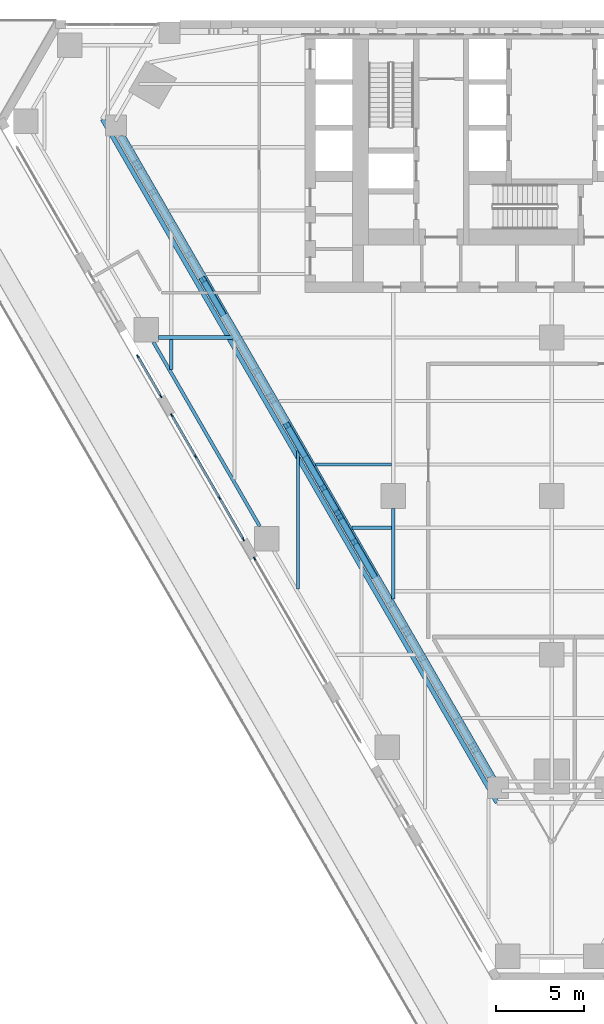
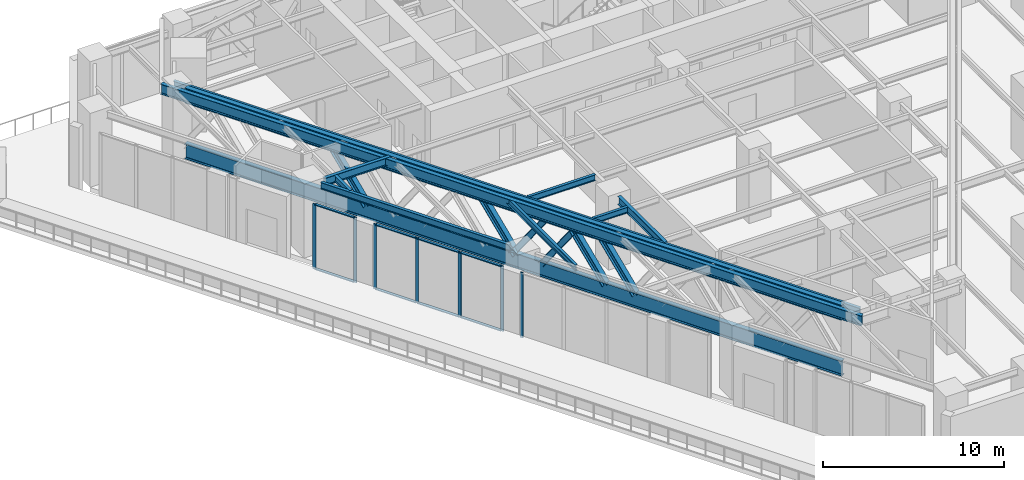
# One storey, part 4 of 25: 21 members, 11 beams, 3 elements without a shape of their own.
"""IFC4 building model written with IfcOpenShell, lengths in metres."""

from ifc_helpers import new_model, si_unit, direction, frame, origin, origin_2d, place, context, subcontext, project, spatial, rectangle, i_section, extrude, material, material_profile, profile_set, type_object, element, aggregate, save


model = new_model("IFC4")

# Units and contexts
model_context = context("Model", 3, precision=1e-05, world=origin(), true_north=direction((0.0, 1.0)))
body_context = subcontext(model_context, "Body", "Model", "MODEL_VIEW")
ifc_project = project(units=[si_unit("LENGTHUNIT", "METRE"), si_unit("AREAUNIT", "SQUARE_METRE"), si_unit("VOLUMEUNIT", "CUBIC_METRE"), si_unit("PLANEANGLEUNIT", "RADIAN"), si_unit("MASSUNIT", "GRAM", prefix="KILO")], contexts=[model_context])

# Site, building, storey
site_placement = place(None, origin())
site = spatial("IfcSite", under=ifc_project, at=site_placement, CompositionType="ELEMENT")
building_placement = place(site_placement, origin())
building = spatial("IfcBuilding", under=site, at=building_placement, Name="Aloe Facet Convention Tower", CompositionType="ELEMENT")
storey_placement = place(building_placement, frame((0.0, 0.0, 30.0)))
storey = spatial("IfcBuildingStorey", under=building, at=storey_placement, Name="L05", CompositionType="ELEMENT", Elevation=30.0)

# Beam
ifc_material_1 = material(Name="Steel S355", Category="steel")
ifc_material_profile_1 = material_profile(ifc_material_1, i_section(OverallWidth=0.25439453125, OverallDepth=0.6875, WebThickness=0.01318359375, FlangeThickness=0.02099609375, FilletRadius=0.01513671875, at=origin_2d()), Name="UB 686x254x152")
ifc_profile_set_1 = profile_set([ifc_material_profile_1], Name="Steel S355")
beam_type_1 = type_object("IfcBeamType", Name="EV-EB-UB686x254x152", PredefinedType="BEAM", material=ifc_profile_set_1)
beam_1_placement = place(storey_placement, frame((54.494873046875, 129.396728515625, 4.456298828125), z_axis=(0.500003288626, -0.866023505087, 0.0), x_axis=(0.866023505087, 0.500003288626, 0.0)))
element("IfcBeam", 1, at=beam_1_placement, inside=storey, type_object=beam_type_1, Name="EB-L06-W", PredefinedType="BEAM", context=body_context, shape_type="SweptSolid", body=[
    extrude(i_section(OverallWidth=0.25439453125, OverallDepth=0.6875, WebThickness=0.01318359375, FlangeThickness=0.02099609375, FilletRadius=0.01513671875, at=origin_2d()), origin(), (0.0, 0.0, 1.0), 44.800048828125),
])

# Curtain wall, members
ifc_material_2 = material(Name="Aluminium, anodised", Category="aluminium")
curtain_wall_type = type_object("IfcCurtainWallType", Name="EV-CW-HALL", PredefinedType="USERDEFINED", material=ifc_material_2)
curtain_wall_1_placement = place(storey_placement, origin())
curtain_wall_1 = element("IfcCurtainWall", 2, at=curtain_wall_1_placement, inside=storey, type_object=curtain_wall_type, Name="CW-L05-W04B", ObjectType="UNITISED HALL GLAZING", PredefinedType="USERDEFINED")
ifc_material_3 = material(Name="Aluminium, anodised", Category="aluminium")
ifc_material_profile_2 = material_profile(ifc_material_3, rectangle(XDim=0.06494140625, YDim=0.199951171875, at=origin_2d()), Name="AL 65x200")
ifc_profile_set_2 = profile_set([ifc_material_profile_2], Name="Aluminium, anodised")
member_type_1 = type_object("IfcMemberType", Name="EV-MULL-HALL", PredefinedType="MULLION", material=ifc_profile_set_2)
member_1_placement = place(storey_placement, frame((56.4951171875, 115.93212890625, -0.300048828125), z_axis=(0.0, 0.0, 1.0), x_axis=(0.866025403723, 0.500000000106, 0.0)))
member_1 = element("IfcMember", 3, at=member_1_placement, type_object=member_type_1, Name="CW-L05-W04B mullion 1", PredefinedType="MULLION", context=body_context, shape_type="SweptSolid", body=[
    extrude(rectangle(XDim=0.06494140625, YDim=0.199951171875, at=origin_2d()), origin(), (0.0, 0.0, 1.0), 4.41259765625),
])
member_2_placement = place(storey_placement, frame((57.79638671875, 113.678466796875, -0.300048828125), z_axis=(0.0, 0.0, 1.0), x_axis=(0.866025403723, 0.500000000106, 0.0)))
member_2 = element("IfcMember", 4, at=member_2_placement, type_object=member_type_1, Name="CW-L05-W04B mullion 2", PredefinedType="MULLION", context=body_context, shape_type="SweptSolid", body=[
    extrude(rectangle(XDim=0.06494140625, YDim=0.199951171875, at=origin_2d()), origin(), (0.0, 0.0, 1.0), 4.41259765625),
])

curtain_wall_2_placement = place(storey_placement, origin())
curtain_wall_2 = element("IfcCurtainWall", 5, at=curtain_wall_2_placement, inside=storey, type_object=curtain_wall_type, Name="CW-L05-W06", ObjectType="UNITISED HALL GLAZING", PredefinedType="USERDEFINED")
member_3_placement = place(storey_placement, frame((58.4287109375, 112.5830078125, -0.300048828125), z_axis=(0.0, 0.0, 1.0), x_axis=(0.866025403784, 0.5, 0.0)))
member_3 = element("IfcMember", 6, at=member_3_placement, type_object=member_type_1, Name="CW-L05-W06 mullion 1", PredefinedType="MULLION", context=body_context, shape_type="SweptSolid", body=[
    extrude(rectangle(XDim=0.06494140625, YDim=0.199951171875, at=origin_2d()), origin(), (0.0, 0.0, 1.0), 4.41259765625),
])
member_4_placement = place(storey_placement, frame((59.77783203125, 110.24658203125, -0.300048828125), z_axis=(0.0, 0.0, 1.0), x_axis=(0.866025403784, 0.5, 0.0)))
member_4 = element("IfcMember", 7, at=member_4_placement, type_object=member_type_1, Name="CW-L05-W06 mullion 2", PredefinedType="MULLION", context=body_context, shape_type="SweptSolid", body=[
    extrude(rectangle(XDim=0.06494140625, YDim=0.199951171875, at=origin_2d()), origin(), (0.0, 0.0, 1.0), 4.41259765625),
])
member_5_placement = place(storey_placement, frame((61.142822265625, 107.882080078125, -0.300048828125), z_axis=(0.0, 0.0, 1.0), x_axis=(0.866025403784, 0.5, 0.0)))
member_5 = element("IfcMember", 8, at=member_5_placement, type_object=member_type_1, Name="CW-L05-W06 mullion 3", PredefinedType="MULLION", context=body_context, shape_type="SweptSolid", body=[
    extrude(rectangle(XDim=0.06494140625, YDim=0.199951171875, at=origin_2d()), origin(), (0.0, 0.0, 1.0), 4.41259765625),
])
member_6_placement = place(storey_placement, frame((62.491943359375, 105.54541015625, -0.300048828125), z_axis=(0.0, 0.0, 1.0), x_axis=(0.866025403784, 0.5, 0.0)))
member_6 = element("IfcMember", 9, at=member_6_placement, type_object=member_type_1, Name="CW-L05-W06 mullion 4", PredefinedType="MULLION", context=body_context, shape_type="SweptSolid", body=[
    extrude(rectangle(XDim=0.06494140625, YDim=0.199951171875, at=origin_2d()), origin(), (0.0, 0.0, 1.0), 4.41259765625),
])

# Curtain wall, member
curtain_wall_3_placement = place(storey_placement, origin())
curtain_wall_3 = element("IfcCurtainWall", 10, at=curtain_wall_3_placement, inside=storey, type_object=curtain_wall_type, Name="CW-L05-W08", ObjectType="UNITISED HALL GLAZING", PredefinedType="USERDEFINED")
member_7_placement = place(storey_placement, frame((63.124267578125, 104.449951171875, -0.300048828125), z_axis=(0.0, 0.0, 1.0), x_axis=(0.866025403784, 0.5, 0.0)))
member_7 = element("IfcMember", 11, at=member_7_placement, type_object=member_type_1, Name="CW-L05-W08 mullion 1", PredefinedType="MULLION", context=body_context, shape_type="SweptSolid", body=[
    extrude(rectangle(XDim=0.06494140625, YDim=0.199951171875, at=origin_2d()), origin(), (0.0, 0.0, 1.0), 4.41259765625),
])
aggregate(curtain_wall_3, [member_7])

# Member
ifc_material_4 = material(Name="Aluminium, anodised", Category="aluminium")
ifc_material_profile_3 = material_profile(ifc_material_4, rectangle(XDim=0.159912109375, YDim=0.06494140625, at=origin_2d()), Name="AL 160x65")
ifc_profile_set_3 = profile_set([ifc_material_profile_3], Name="Aluminium, anodised")
member_type_2 = type_object("IfcMemberType", Name="EV-TRAN-HALL", PredefinedType="USERDEFINED", material=ifc_profile_set_3)
member_8_placement = place(storey_placement, frame((56.511474609375, 115.904052734375, -0.267578125), z_axis=(0.49994733625, -0.86605580708, 0.0), x_axis=(0.86605580708, 0.49994733625, 0.0)))
member_8 = element("IfcMember", 12, at=member_8_placement, type_object=member_type_2, Name="CW-L05-W04B transom 1.1", ObjectType="TRANSOM", PredefinedType="USERDEFINED", context=body_context, shape_type="SweptSolid", body=[
    extrude(rectangle(XDim=0.159912109375, YDim=0.06494140625, at=origin_2d()), origin(), (0.0, 0.0, 1.0), 2.537353515625),
])

member_9_placement = place(storey_placement, frame((56.511474609375, 115.904052734375, 4.080078125), z_axis=(0.49994733625, -0.86605580708, 0.0), x_axis=(0.86605580708, 0.49994733625, 0.0)))
member_9 = element("IfcMember", 13, at=member_9_placement, type_object=member_type_2, Name="CW-L05-W04B transom 1.2", ObjectType="TRANSOM", PredefinedType="USERDEFINED", context=body_context, shape_type="SweptSolid", body=[
    extrude(rectangle(XDim=0.159912109375, YDim=0.06494140625, at=origin_2d()), origin(), (0.0, 0.0, 1.0), 2.537353515625),
])

aggregate(curtain_wall_1, [member_1, member_2, member_8, member_9])

member_10_placement = place(storey_placement, frame((58.445068359375, 112.554931640625, -0.267578125), z_axis=(0.499968599967, -0.866043531843, 0.0), x_axis=(0.866043531843, 0.499968599967, 0.0)))
member_10 = element("IfcMember", 14, at=member_10_placement, type_object=member_type_2, Name="CW-L05-W06 transom 1.1", ObjectType="TRANSOM", PredefinedType="USERDEFINED", context=body_context, shape_type="SweptSolid", body=[
    extrude(rectangle(XDim=0.159912109375, YDim=0.06494140625, at=origin_2d()), origin(), (0.0, 0.0, 1.0), 2.633056640625),
])

member_11_placement = place(storey_placement, frame((58.445068359375, 112.554931640625, 4.080078125), z_axis=(0.499968599967, -0.866043531843, 0.0), x_axis=(0.866043531843, 0.499968599967, 0.0)))
member_11 = element("IfcMember", 15, at=member_11_placement, type_object=member_type_2, Name="CW-L05-W06 transom 1.2", ObjectType="TRANSOM", PredefinedType="USERDEFINED", context=body_context, shape_type="SweptSolid", body=[
    extrude(rectangle(XDim=0.159912109375, YDim=0.06494140625, at=origin_2d()), origin(), (0.0, 0.0, 1.0), 2.633056640625),
])

member_12_placement = place(storey_placement, frame((59.7939453125, 110.218505859375, -0.267578125), z_axis=(0.500010524421, -0.866019327422, 0.0), x_axis=(0.866019327422, 0.500010524421, 0.0)))
member_12 = element("IfcMember", 16, at=member_12_placement, type_object=member_type_2, Name="CW-L05-W06 transom 2.1", ObjectType="TRANSOM", PredefinedType="USERDEFINED", context=body_context, shape_type="SweptSolid", body=[
    extrude(rectangle(XDim=0.159912109375, YDim=0.06494140625, at=origin_2d()), origin(), (0.0, 0.0, 1.0), 2.66552734375),
])

member_13_placement = place(storey_placement, frame((59.7939453125, 110.218505859375, 4.080078125), z_axis=(0.500010524421, -0.866019327422, 0.0), x_axis=(0.866019327422, 0.500010524421, 0.0)))
member_13 = element("IfcMember", 17, at=member_13_placement, type_object=member_type_2, Name="CW-L05-W06 transom 2.2", ObjectType="TRANSOM", PredefinedType="USERDEFINED", context=body_context, shape_type="SweptSolid", body=[
    extrude(rectangle(XDim=0.159912109375, YDim=0.06494140625, at=origin_2d()), origin(), (0.0, 0.0, 1.0), 2.66552734375),
])

member_14_placement = place(storey_placement, frame((61.1591796875, 107.853759765625, -0.267578125), z_axis=(0.500008751707, -0.866020350925, 0.0), x_axis=(0.866020350925, 0.500008751707, 0.0)))
member_14 = element("IfcMember", 18, at=member_14_placement, type_object=member_type_2, Name="CW-L05-W06 transom 3.1", ObjectType="TRANSOM", PredefinedType="USERDEFINED", context=body_context, shape_type="SweptSolid", body=[
    extrude(rectangle(XDim=0.159912109375, YDim=0.06494140625, at=origin_2d()), origin(), (0.0, 0.0, 1.0), 2.6328125),
])

member_15_placement = place(storey_placement, frame((61.1591796875, 107.853759765625, 4.080078125), z_axis=(0.500008751707, -0.866020350925, 0.0), x_axis=(0.866020350925, 0.500008751707, 0.0)))
member_15 = element("IfcMember", 19, at=member_15_placement, type_object=member_type_2, Name="CW-L05-W06 transom 3.2", ObjectType="TRANSOM", PredefinedType="USERDEFINED", context=body_context, shape_type="SweptSolid", body=[
    extrude(rectangle(XDim=0.159912109375, YDim=0.06494140625, at=origin_2d()), origin(), (0.0, 0.0, 1.0), 2.6328125),
])

aggregate(curtain_wall_2, [member_3, member_4, member_5, member_6, member_10, member_11, member_12, member_13, member_14, member_15])

# Beams
ifc_material_5 = material(Name="Steel S355", Category="steel")
ifc_material_profile_4 = material_profile(ifc_material_5, i_section(OverallWidth=0.305419921875, OverallDepth=1.02587890625, WebThickness=0.02001953125, FlangeThickness=0.031005859375, FilletRadius=0.030029296875, at=origin_2d()), Name="UB 1016x305x349")
ifc_profile_set_4 = profile_set([ifc_material_profile_4], Name="Steel S355")
beam_type_2 = type_object("IfcBeamType", Name="SF-B-UB1016x305x349", PredefinedType="BEAM", material=ifc_profile_set_4)
for number, where, z_axis, x_axis, name in (
    (20, (55.4873046875, 128.427978515625, 4.287109375), (0.499998268199, -0.866026403638, 0.0), (0.866026403638, 0.499998268199, 0.0), "Transfer ring chord TR-F2-T"),
    (21, (55.4873046875, 128.427978515625, 0.512939453125), (0.499998268199, -0.866026403638, 0.0), (0.866026403638, 0.499998268199, 0.0), "Transfer ring chord TR-F2-B"),
):
    element("IfcBeam", number, at=place(storey_placement, frame(where, z_axis=z_axis, x_axis=x_axis)), inside=storey, type_object=beam_type_2, Name=name, PredefinedType="BEAM", context=body_context, shape_type="SweptSolid", body=[
        extrude(i_section(OverallWidth=0.305419921875, OverallDepth=1.02587890625, WebThickness=0.02001953125, FlangeThickness=0.031005859375, FilletRadius=0.030029296875, at=origin_2d()), origin(), (0.0, 0.0, 1.0), 42.014404296875),
    ])
ifc_material_6 = material(Name="Steel S355", Category="steel")
ifc_material_profile_5 = material_profile(ifc_material_6, i_section(OverallWidth=0.177734375, OverallDepth=0.402587890625, WebThickness=0.0078125, FlangeThickness=0.010986328125, FilletRadius=0.01025390625, at=origin_2d()), Name="UB 406x178x54")
ifc_profile_set_5 = profile_set([ifc_material_profile_5], Name="Steel S355")
beam_type_3 = type_object("IfcBeamType", Name="SF-B-UB406x178x54", PredefinedType="BEAM", material=ifc_profile_set_5)
beam_2_placement = place(storey_placement, frame((58.39990234375, 115.1826171875, 4.5986328125), z_axis=(0.0, 1.0, 0.0), x_axis=(-1.0, 0.0, 0.0)))
element("IfcBeam", 22, at=beam_2_placement, inside=storey, type_object=beam_type_3, Name="Floor beam FB-L06-821", PredefinedType="BEAM", context=body_context, shape_type="SweptSolid", body=[
    extrude(i_section(OverallWidth=0.177734375, OverallDepth=0.402587890625, WebThickness=0.0078125, FlangeThickness=0.010986328125, FilletRadius=0.01025390625, at=origin_2d()), origin(), (0.0, 0.0, 1.0), 1.7119140625),
])
beam_3_placement = place(storey_placement, frame((65.60009765625, 102.7119140625, 4.5986328125), z_axis=(0.0, 1.0, 0.0), x_axis=(-1.0, 0.0, 0.0)))
element("IfcBeam", 23, at=beam_3_placement, inside=storey, type_object=beam_type_3, Name="Floor beam FB-L06-824", PredefinedType="BEAM", context=body_context, shape_type="SweptSolid", body=[
    extrude(i_section(OverallWidth=0.177734375, OverallDepth=0.402587890625, WebThickness=0.0078125, FlangeThickness=0.010986328125, FilletRadius=0.01025390625, at=origin_2d()), origin(), (0.0, 0.0, 1.0), 7.884765625),
])
beam_4_placement = place(storey_placement, frame((66.5869140625, 109.800048828125, 4.5986328125), z_axis=(1.0, 0.0, 0.0), x_axis=(0.0, 1.0, 0.0)))
element("IfcBeam", 24, at=beam_4_placement, inside=storey, type_object=beam_type_3, Name="Floor beam FB-Z1A-023", PredefinedType="BEAM", context=body_context, shape_type="SweptSolid", body=[
    extrude(i_section(OverallWidth=0.177734375, OverallDepth=0.402587890625, WebThickness=0.0078125, FlangeThickness=0.010986328125, FilletRadius=0.01025390625, at=origin_2d()), origin(), (0.0, 0.0, 1.0), 4.3076171875),
])
beam_5_placement = place(storey_placement, frame((68.665283203125, 106.199951171875, 4.5986328125), z_axis=(1.0, 0.0, 0.0), x_axis=(0.0, 1.0, 0.0)))
element("IfcBeam", 25, at=beam_5_placement, inside=storey, type_object=beam_type_3, Name="Floor beam FB-Z1A-024", PredefinedType="BEAM", context=body_context, shape_type="SweptSolid", body=[
    extrude(i_section(OverallWidth=0.177734375, OverallDepth=0.402587890625, WebThickness=0.0078125, FlangeThickness=0.010986328125, FilletRadius=0.01025390625, at=origin_2d()), origin(), (0.0, 0.0, 1.0), 2.229248046875),
])
ifc_material_7 = material(Name="Steel S355", Category="steel")
ifc_material_profile_6 = material_profile(ifc_material_7, i_section(OverallWidth=0.18994140625, OverallDepth=0.453369140625, WebThickness=0.008544921875, FlangeThickness=0.0126953125, FilletRadius=0.01025390625, at=origin_2d()), Name="UB 457x191x67")
ifc_profile_set_6 = profile_set([ifc_material_profile_6], Name="Steel S355")
beam_type_4 = type_object("IfcBeamType", Name="SF-B-UB457x191x67", PredefinedType="BEAM", material=ifc_profile_set_6)
beam_6_placement = place(storey_placement, frame((63.421630859375, 106.284912109375, 4.5732421875), z_axis=(-0.499986328982, 0.866033296607, 0.0), x_axis=(-0.866033296607, -0.499986328982, 0.0)))
element("IfcBeam", 26, at=beam_6_placement, inside=storey, type_object=beam_type_4, Name="Floor beam FB-L06-804", PredefinedType="BEAM", context=body_context, shape_type="SweptSolid", body=[
    extrude(i_section(OverallWidth=0.18994140625, OverallDepth=0.453369140625, WebThickness=0.008544921875, FlangeThickness=0.0126953125, FilletRadius=0.01025390625, at=origin_2d()), origin(), (0.0, 0.0, 1.0), 12.066650390625),
])
beam_7_placement = place(storey_placement, frame((77.158935546875, 91.28125, 4.5732421875), z_axis=(-0.499998569178, 0.866026229868, 0.0), x_axis=(-0.866026229868, -0.499998569178, 0.0)))
element("IfcBeam", 27, at=beam_7_placement, inside=storey, type_object=beam_type_4, Name="Floor beam FB-Z1A-003", PredefinedType="BEAM", context=body_context, shape_type="SweptSolid", body=[
    extrude(i_section(OverallWidth=0.18994140625, OverallDepth=0.453369140625, WebThickness=0.008544921875, FlangeThickness=0.0126953125, FilletRadius=0.01025390625, at=origin_2d()), origin(), (0.0, 0.0, 1.0), 43.882080078125),
])
ifc_material_8 = material(Name="Steel S355", Category="steel")
ifc_material_profile_7 = material_profile(ifc_material_8, i_section(OverallWidth=0.210693359375, OverallDepth=0.53955078125, WebThickness=0.01171875, FlangeThickness=0.018798828125, FilletRadius=0.0126953125, at=origin_2d()), Name="UB 533x210x109")
ifc_profile_set_7 = profile_set([ifc_material_profile_7], Name="Steel S355")
beam_type_5 = type_object("IfcBeamType", Name="SF-B-UB533x210x109", PredefinedType="BEAM", material=ifc_profile_set_7)
beam_8_placement = place(storey_placement, frame((57.68408203125, 117.0, 4.5302734375), z_axis=(1.0, 0.0, 0.0), x_axis=(0.0, 1.0, 0.0)))
element("IfcBeam", 28, at=beam_8_placement, inside=storey, type_object=beam_type_5, Name="Floor beam FB-L06-814", PredefinedType="BEAM", context=body_context, shape_type="SweptSolid", body=[
    extrude(i_section(OverallWidth=0.210693359375, OverallDepth=0.53955078125, WebThickness=0.01171875, FlangeThickness=0.018798828125, FilletRadius=0.0126953125, at=origin_2d()), origin(), (0.0, 0.0, 1.0), 4.214599609375),
])
beam_9_placement = place(storey_placement, frame((71.0, 107.300048828125, 4.5302734375), z_axis=(0.0, -1.0, 0.0), x_axis=(1.0, 0.0, 0.0)))
element("IfcBeam", 29, at=beam_9_placement, inside=storey, type_object=beam_type_5, Name="Floor beam FB-Z1A-009", PredefinedType="BEAM", context=body_context, shape_type="SweptSolid", body=[
    extrude(i_section(OverallWidth=0.210693359375, OverallDepth=0.53955078125, WebThickness=0.01171875, FlangeThickness=0.018798828125, FilletRadius=0.0126953125, at=origin_2d()), origin(), (0.0, 0.0, 1.0), 5.1513671875),
])

# Members
ifc_material_9 = material(Name="Steel S355", Category="steel")
ifc_material_profile_8 = material_profile(ifc_material_9, i_section(OverallWidth=0.374755859375, OverallDepth=0.37451171875, WebThickness=0.0166015625, FlangeThickness=0.027099609375, FilletRadius=0.01513671875, at=origin_2d()), Name="UC 356x368x202")
ifc_profile_set_8 = profile_set([ifc_material_profile_8], Name="Steel S355")
member_type_3 = type_object("IfcMemberType", Name="SF-W-UC356x368x202", PredefinedType="BRACE", material=ifc_profile_set_8)
for number, where, z_axis, x_axis, name in (
    (30, (60.19189453125, 120.279052734375, 3.97412109375), (0.285354105547, -0.494227452165, -0.821165184341), (0.866016486034, 0.500015445679, 0.0), "Transfer ring diagonal TW-F2-06"),
    (31, (64.96630859375, 112.009521484375, 3.97412109375), (0.285363086299, -0.49417932374, -0.821191028303), (0.865988583845, 0.500063768584, 0.0), "Transfer ring diagonal TW-F2-11"),
    (32, (65.92138671875, 110.355712890625, 0.825927734375), (0.285295608397, -0.494236432314, 0.821180104973), (0.866064803699, 0.499931751136, 0.0), "Transfer ring diagonal TW-F2-12"),
    (33, (66.876220703125, 108.701904296875, 0.825927734375), (0.285295608397, -0.494236432314, 0.821180104973), (0.866064803699, 0.499931751136, 0.0), "Transfer ring diagonal TW-F2-13"),
    (34, (67.8310546875, 107.0478515625, 3.97412109375), (0.285304587634, -0.49418830358, -0.821205950344), (0.866036909293, 0.499980071345, 0.0), "Transfer ring diagonal TW-F2-14"),
    (35, (68.785888671875, 105.39404296875, 3.97412109375), (0.285304587634, -0.49418830358, -0.821205950344), (0.866036909293, 0.499980071345, 0.0), "Transfer ring diagonal TW-F2-15"),
):
    element("IfcMember", number, at=place(storey_placement, frame(where, z_axis=z_axis, x_axis=x_axis)), inside=storey, type_object=member_type_3, Name=name, PredefinedType="BRACE", context=body_context, shape_type="SweptSolid", body=[
        extrude(i_section(OverallWidth=0.374755859375, OverallDepth=0.37451171875, WebThickness=0.0166015625, FlangeThickness=0.027099609375, FilletRadius=0.01513671875, at=origin_2d()), origin(), (0.0, 0.0, 1.0), 3.833740234375),
    ])

save(model, "model.ifc")
